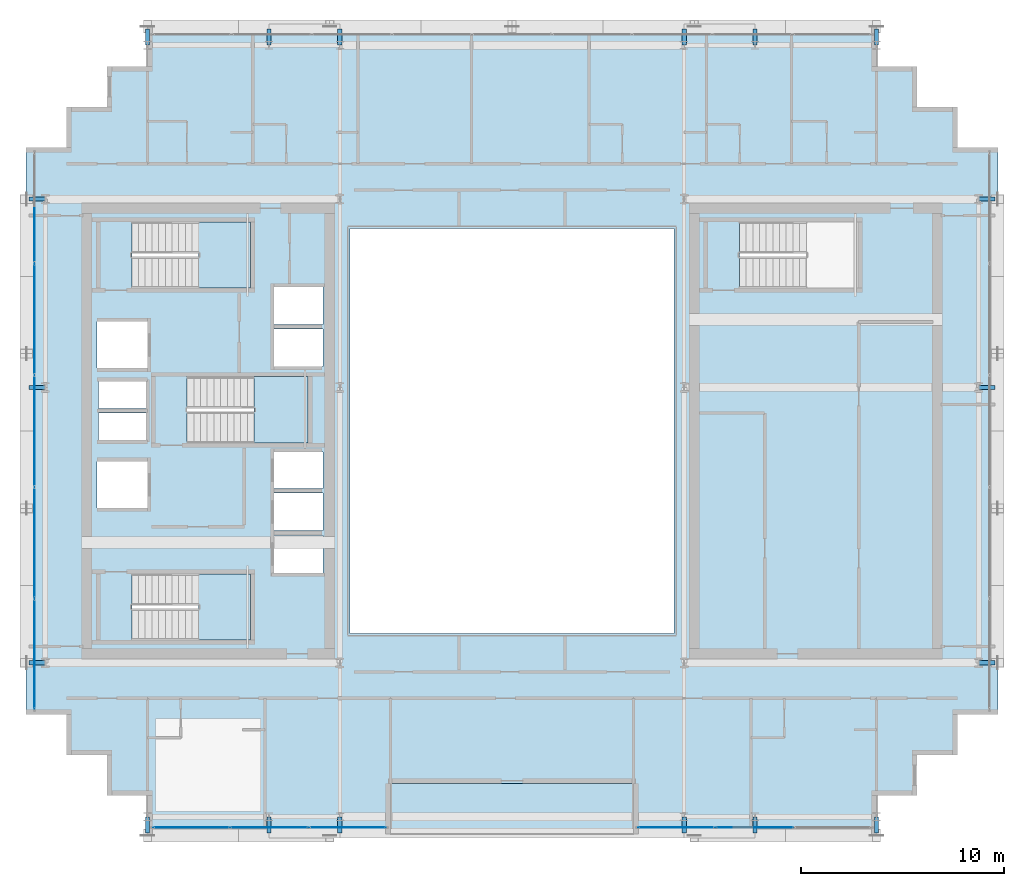
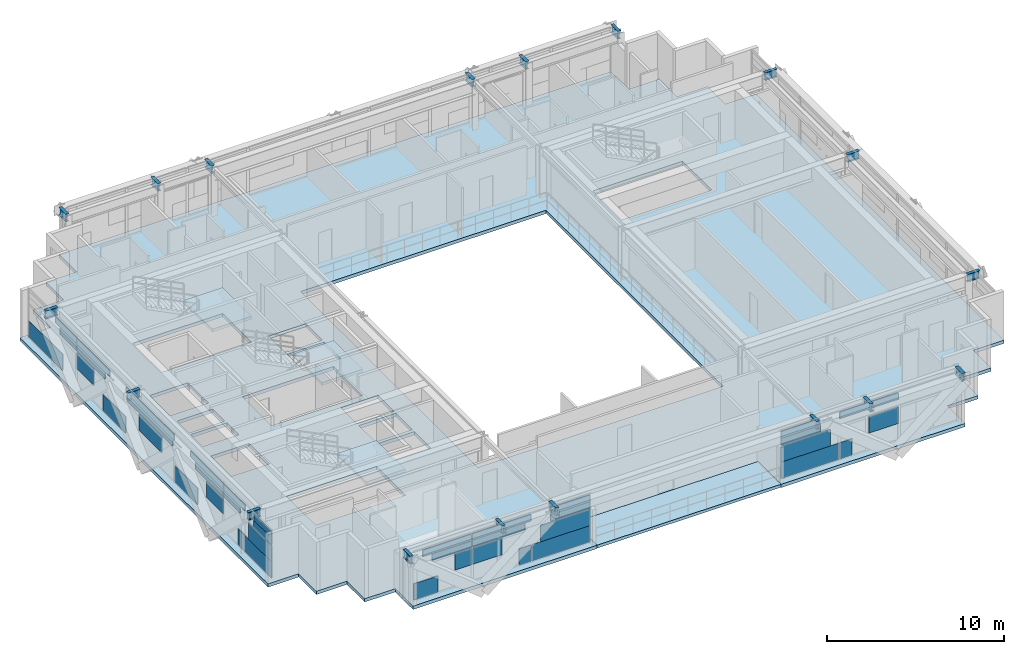
# One storey, part 20 of 32: 39 plates, 18 beams, 5 slabs, 6 elements without a shape of their own.
"""IFC4 building model written with IfcOpenShell, lengths in metres."""

from ifc_helpers import new_model, si_unit, direction, frame, origin, origin_2d, place, context, subcontext, project, spatial, polyline, rectangle, i_section, outline, extrude, source, transform, mapped, material, layer, layer_set, material_profile, profile_set, type_object, element, aggregate, save


model = new_model("IFC4")

# Units and contexts
model_context = context("Model", 3, precision=1e-05, world=origin(), true_north=direction((0.0, 1.0)))
body_context = subcontext(model_context, "Body", "Model", "MODEL_VIEW")
ifc_project = project(units=[si_unit("LENGTHUNIT", "METRE"), si_unit("AREAUNIT", "SQUARE_METRE"), si_unit("VOLUMEUNIT", "CUBIC_METRE"), si_unit("PLANEANGLEUNIT", "RADIAN"), si_unit("MASSUNIT", "GRAM", prefix="KILO")], contexts=[model_context])

# Site, building, storey
site_placement = place(None, origin())
site = spatial("IfcSite", under=ifc_project, at=site_placement, CompositionType="ELEMENT")
building_placement = place(site_placement, origin())
building = spatial("IfcBuilding", under=site, at=building_placement, Name="Ocotamira Hotel", CompositionType="ELEMENT")
storey_placement = place(building_placement, frame((0.0, 0.0, 184.800048828125)))
storey = spatial("IfcBuildingStorey", under=building, at=storey_placement, Name="L46", CompositionType="ELEMENT", Elevation=184.800048828125)

# Beams
ifc_material_1 = material(Name="Steel ASTM A992 Grade 50", Category="steel")
ifc_material_profile = material_profile(ifc_material_1, i_section(OverallWidth=0.2099609375, OverallDepth=0.537109375, WebThickness=0.010986328125, FlangeThickness=0.017333984375, FilletRadius=0.012939453125, at=origin_2d()), Name="W21X68")
ifc_profile_set = profile_set([ifc_material_profile], Name="Steel ASTM A992 Grade 50")
beam_type = type_object("IfcBeamType", Name="BM-SEC-W21X68", PredefinedType="JOIST", material=ifc_profile_set)
shared_shape_1 = source(origin(), body_context, "Body", "SweptSolid", [
    extrude(i_section(OverallWidth=0.2099609375, OverallDepth=0.537109375, WebThickness=0.010986328125, FlangeThickness=0.017333984375, FilletRadius=0.012939453125, at=origin_2d()), origin(), (0.0, 0.0, 1.0), 0.800048828125),
])
for number, where, z_axis, x_axis, name in (
    (1, (14.0, 6.949951171875, 3.1015625), (0.0, -1.0, 0.0), (1.0, 0.0, 0.0), "L46 South Edge Header X14"),
    (2, (14.0, 45.050048828125, 3.1015625), (0.0, 1.0, 0.0), (-1.0, 0.0, 0.0), "L46 North Edge Header X14"),
    (3, (20.0, 6.949951171875, 3.1015625), (0.0, -1.0, 0.0), (1.0, 0.0, 0.0), "L46 South Edge Header X20"),
    (4, (20.0, 45.050048828125, 3.1015625), (0.0, 1.0, 0.0), (-1.0, 0.0, 0.0), "L46 North Edge Header X20"),
    (5, (23.5, 6.949951171875, 3.1015625), (0.0, -1.0, 0.0), (1.0, 0.0, 0.0), "L46 South Edge Header X23.5"),
    (6, (23.5, 45.050048828125, 3.1015625), (0.0, 1.0, 0.0), (-1.0, 0.0, 0.0), "L46 North Edge Header X23.5"),
    (7, (40.5, 6.949951171875, 3.1015625), (0.0, -1.0, 0.0), (1.0, 0.0, 0.0), "L46 South Edge Header X40.5"),
    (8, (40.5, 45.050048828125, 3.1015625), (0.0, 1.0, 0.0), (-1.0, 0.0, 0.0), "L46 North Edge Header X40.5"),
    (9, (44.0, 6.949951171875, 3.1015625), (0.0, -1.0, 0.0), (1.0, 0.0, 0.0), "L46 South Edge Header X44"),
    (10, (44.0, 45.050048828125, 3.1015625), (0.0, 1.0, 0.0), (-1.0, 0.0, 0.0), "L46 North Edge Header X44"),
    (11, (50.0, 6.949951171875, 3.1015625), (0.0, -1.0, 0.0), (1.0, 0.0, 0.0), "L46 South Edge Header X50"),
    (12, (50.0, 45.050048828125, 3.1015625), (0.0, 1.0, 0.0), (-1.0, 0.0, 0.0), "L46 North Edge Header X50"),
    (13, (8.949951171875, 14.550048828125, 3.1015625), (-1.0, 0.0, 0.0), (0.0, -1.0, 0.0), "L46 West Edge Header Y14.55"),
    (14, (55.050048828125, 14.550048828125, 3.1015625), (1.0, 0.0, 0.0), (0.0, 1.0, 0.0), "L46 East Edge Header Y14.55"),
    (15, (8.949951171875, 28.14990234375, 3.1015625), (-1.0, 0.0, 0.0), (0.0, -1.0, 0.0), "L46 West Edge Header Y28.15"),
    (16, (55.050048828125, 28.14990234375, 3.1015625), (1.0, 0.0, 0.0), (0.0, 1.0, 0.0), "L46 East Edge Header Y28.15"),
    (17, (8.949951171875, 37.449951171875, 3.1015625), (-1.0, 0.0, 0.0), (0.0, -1.0, 0.0), "L46 West Edge Header Y37.45"),
    (18, (55.050048828125, 37.449951171875, 3.1015625), (1.0, 0.0, 0.0), (0.0, 1.0, 0.0), "L46 East Edge Header Y37.45"),
):
    element("IfcBeam", number, at=place(storey_placement, frame(where, z_axis=z_axis, x_axis=x_axis)), inside=storey, type_object=beam_type, Name=name, PredefinedType="JOIST", context=body_context, shape_type="MappedRepresentation", body=[
        mapped(shared_shape_1, transform((0.0, 0.0, 0.0), scale=1.0)),
    ])

# Slab
ifc_material_2 = material(Name="Concrete C40/50", Category="concrete")
ifc_layer_1 = layer(ifc_material_2, 0.199951171875)
ifc_layer_set_1 = layer_set([ifc_layer_1], Name="Concrete C40/50")
slab_type_1 = type_object("IfcSlabType", Name="SLB-BAL-200", PredefinedType="FLOOR", material=ifc_layer_set_1)
slab_1_placement = place(storey_placement, frame((0.0, 0.0, -0.199951171875)))
element("IfcSlab", 19, at=slab_1_placement, inside=storey, type_object=slab_type_1, Name="L46 Outdoor Sky Terrace Slab 1", PredefinedType="FLOOR", context=body_context, shape_type="SweptSolid", body=[
    extrude(outline(polyline([(26.0, 6.0), (38.0, 6.0), (38.0, 8.60009765625), (26.0, 8.60009765625), (26.0, 6.0)])), origin(), (0.0, 0.0, 1.0), 0.199951171875),
])

# Stair, slab
stair_type = type_object("IfcStairType", Name="ST-CORE-1560", PredefinedType="HALF_TURN_STAIR", material=ifc_material_2)
stair_1_placement = place(storey_placement, origin())
stair_1 = element("IfcStair", 20, at=stair_1_placement, inside=storey, type_object=stair_type, Name="L46 Exit Stair ST-1", PredefinedType="HALF_TURN_STAIR")
ifc_layer_2 = layer(ifc_material_2, 0.199951171875)
ifc_layer_set_2 = layer_set([ifc_layer_2], Name="Concrete C40/50")
slab_type_2 = type_object("IfcSlabType", Name="SLB-LAND-200", PredefinedType="LANDING", material=ifc_layer_set_2)
slab_2_placement = place(storey_placement, frame((0.0, 0.0, 1.599853515625)))
slab_2 = element("IfcSlab", 21, at=slab_2_placement, type_object=slab_type_2, Name="ST-1 landing 1", PredefinedType="LANDING", context=body_context, shape_type="SweptSolid", body=[
    extrude(outline(polyline([(16.530029296875, 15.669921875), (19.090087890625, 15.669921875), (19.090087890625, 18.949951171875), (16.530029296875, 18.949951171875), (16.530029296875, 15.669921875)])), origin(), (0.0, 0.0, 1.0), 0.2001953125),
])
aggregate(stair_1, [slab_2])

stair_2_placement = place(storey_placement, origin())
stair_2 = element("IfcStair", 22, at=stair_2_placement, inside=storey, type_object=stair_type, Name="L46 Exit Stair ST-2", PredefinedType="HALF_TURN_STAIR")
slab_3_placement = place(storey_placement, frame((0.0, 0.0, 1.599853515625)))
slab_3 = element("IfcSlab", 23, at=slab_3_placement, type_object=slab_type_2, Name="ST-2 landing 1", PredefinedType="LANDING", context=body_context, shape_type="SweptSolid", body=[
    extrude(outline(polyline([(16.530029296875, 33.050048828125), (19.090087890625, 33.050048828125), (19.090087890625, 36.330078125), (16.530029296875, 36.330078125), (16.530029296875, 33.050048828125)])), origin(), (0.0, 0.0, 1.0), 0.2001953125),
])
aggregate(stair_2, [slab_3])

stair_3_placement = place(storey_placement, origin())
stair_3 = element("IfcStair", 24, at=stair_3_placement, inside=storey, type_object=stair_type, Name="L46 Exit Stair ST-3", PredefinedType="HALF_TURN_STAIR")
slab_4_placement = place(storey_placement, frame((0.0, 0.0, 1.599853515625)))
slab_4 = element("IfcSlab", 25, at=slab_4_placement, type_object=slab_type_2, Name="ST-3 landing 1", PredefinedType="LANDING", context=body_context, shape_type="SweptSolid", body=[
    extrude(outline(polyline([(19.260009765625, 25.39990234375), (21.919921875, 25.39990234375), (21.919921875, 28.679931640625), (19.260009765625, 28.679931640625), (19.260009765625, 25.39990234375)])), origin(), (0.0, 0.0, 1.0), 0.2001953125),
])
aggregate(stair_3, [slab_4])

# Slab
ifc_layer_3 = layer(ifc_material_2, 0.22998046875)
ifc_layer_set_3 = layer_set([ifc_layer_3], Name="Concrete C40/50")
slab_type_3 = type_object("IfcSlabType", Name="SLB-Z3-230", PredefinedType="FLOOR", material=ifc_layer_set_3)
slab_5_placement = place(storey_placement, frame((0.0, 0.0, -0.22998046875)))
element("IfcSlab", 26, at=slab_5_placement, inside=storey, type_object=slab_type_3, Name="L46 Structural Floor Slab", PredefinedType="FLOOR", context=body_context, shape_type="SweptSolid", body=[
    extrude(outline(polyline([(14.0, 6.0), (14.0, 8.0), (12.0, 8.0), (12.0, 10.0), (10.0, 10.0), (10.0, 12.0), (8.0, 12.0), (8.0, 40.0), (10.0, 40.0), (10.0, 42.0), (12.0, 42.0), (12.0, 44.0), (14.0, 44.0), (14.0, 46.0), (50.0, 46.0), (50.0, 44.0), (52.0, 44.0), (52.0, 42.0), (54.0, 42.0), (54.0, 40.0), (56.0, 40.0), (56.0, 12.0), (54.0, 12.0), (54.0, 10.0), (52.0, 10.0), (52.0, 8.0), (50.0, 8.0), (50.0, 6.0), (38.0, 6.0), (38.0, 8.60009765625), (26.0, 8.60009765625), (26.0, 6.0), (14.0, 6.0)]), holes=[polyline([(24.0, 16.0), (40.0, 16.0), (40.0, 36.0), (24.0, 36.0), (24.0, 16.0)]), polyline([(13.22998046875, 15.669921875), (19.090087890625, 15.669921875), (19.090087890625, 18.949951171875), (13.22998046875, 18.949951171875), (13.22998046875, 15.669921875)]), polyline([(13.22998046875, 33.050048828125), (19.090087890625, 33.050048828125), (19.090087890625, 36.330078125), (13.22998046875, 36.330078125), (13.22998046875, 33.050048828125)]), polyline([(15.9599609375, 25.39990234375), (21.919921875, 25.39990234375), (21.919921875, 28.679931640625), (15.9599609375, 28.679931640625), (15.9599609375, 25.39990234375)]), polyline([(43.22998046875, 33.050048828125), (49.090087890625, 33.050048828125), (49.090087890625, 36.330078125), (43.22998046875, 36.330078125), (43.22998046875, 33.050048828125)]), polyline([(20.25, 19.0), (22.659912109375, 19.0), (22.659912109375, 20.85009765625), (20.25, 20.85009765625), (20.25, 19.0)]), polyline([(20.25, 21.080078125), (22.659912109375, 21.080078125), (22.659912109375, 22.929931640625), (20.25, 22.929931640625), (20.25, 21.080078125)]), polyline([(20.25, 23.159912109375), (22.659912109375, 23.159912109375), (22.659912109375, 24.9599609375), (20.25, 24.9599609375), (20.25, 23.159912109375)]), polyline([(20.25, 29.179931640625), (22.659912109375, 29.179931640625), (22.659912109375, 31.030029296875), (20.25, 31.030029296875), (20.25, 29.179931640625)]), polyline([(20.25, 31.260009765625), (22.659912109375, 31.260009765625), (22.659912109375, 33.110107421875), (20.25, 33.110107421875), (20.25, 31.260009765625)]), polyline([(11.5, 22.199951171875), (14.0, 22.199951171875), (14.0, 24.5), (11.5, 24.5), (11.5, 22.199951171875)]), polyline([(11.5, 29.10009765625), (14.0, 29.10009765625), (14.0, 31.39990234375), (11.5, 31.39990234375), (11.5, 29.10009765625)]), polyline([(11.580078125, 25.550048828125), (13.919921875, 25.550048828125), (13.919921875, 26.89990234375), (11.580078125, 26.89990234375), (11.580078125, 25.550048828125)]), polyline([(11.580078125, 27.10009765625), (13.919921875, 27.10009765625), (13.919921875, 28.449951171875), (11.580078125, 28.449951171875), (11.580078125, 27.10009765625)])]), origin(), (0.0, 0.0, 1.0), 0.22998046875),
])

# Curtain wall, plate
ifc_material_3 = material(Name="Anodised pale-metal aluminium and solar glass", Category="aluminium")
ifc_layer_4 = layer(ifc_material_3, 0.199951171875)
ifc_layer_set_4 = layer_set([ifc_layer_4], Name="Anodised pale-metal aluminium and solar glass")
curtain_wall_type = type_object("IfcCurtainWallType", Name="CW-SYS4-Z3", PredefinedType="NOTDEFINED", material=ifc_layer_set_4)
curtain_wall_1_placement = place(storey_placement, origin())
curtain_wall_1 = element("IfcCurtainWall", 27, at=curtain_wall_1_placement, inside=storey, type_object=curtain_wall_type, Name="L46 Curtain Wall CW-4 CW-L46-S1", PredefinedType="NOTDEFINED")
ifc_material_4 = material(Name="Double-silver low-E insulated solar glass", Category="glass")
ifc_layer_5 = layer(ifc_material_4, 0.031982421875)
ifc_layer_set_5 = layer_set([ifc_layer_5], Name="Double-silver low-E insulated solar glass")
plate_type = type_object("IfcPlateType", Name="CWP-VISION-32", PredefinedType="CURTAIN_PANEL", material=ifc_layer_set_5)
shared_shape_2 = source(origin(), body_context, "Body", "SweptSolid", [
    extrude(rectangle(XDim=1.5673828125, YDim=0.031982421875, at=origin_2d()), origin(), (0.0, 0.0, 1.0), 1.118896484375),
])
plate_1_placement = place(storey_placement, frame((15.063720703125, 6.419921875, 0.07470703125), z_axis=(0.0, 0.0, 1.0), x_axis=(1.0, 0.0, 0.0)))
plate_1 = element("IfcPlate", 28, at=plate_1_placement, type_object=plate_type, Name="CW-4 panel 1.1.1", PredefinedType="CURTAIN_PANEL", context=body_context, shape_type="MappedRepresentation", body=[
    mapped(shared_shape_2, transform((0.0, 0.0, 0.0), scale=1.0)),
])

# Curtain wall, plates
curtain_wall_2_placement = place(storey_placement, origin())
curtain_wall_2 = element("IfcCurtainWall", 29, at=curtain_wall_2_placement, inside=storey, type_object=curtain_wall_type, Name="L46 Curtain Wall CW-4 CW-L46-W", PredefinedType="NOTDEFINED")
shared_shape_3 = source(origin(), body_context, "Body", "SweptSolid", [
    extrude(rectangle(XDim=3.802001953125, YDim=0.031982421875, at=origin_2d()), origin(), (0.0, 0.0, 1.0), 1.118896484375),
])
plate_2_placement = place(storey_placement, frame((8.419921875, 14.180908203125, 0.07470703125), z_axis=(0.0, 0.0, 1.0), x_axis=(0.0, 1.0, 0.0)))
plate_2 = element("IfcPlate", 30, at=plate_2_placement, type_object=plate_type, Name="CW-4 panel 1.1.1", PredefinedType="CURTAIN_PANEL", context=body_context, shape_type="MappedRepresentation", body=[
    mapped(shared_shape_3, transform((0.0, 0.0, 0.0), scale=1.0)),
])
plate_3_placement = place(storey_placement, frame((8.419921875, 37.819091796875, 0.07470703125), z_axis=(0.0, 0.0, 1.0), x_axis=(0.0, 1.0, 0.0)))
plate_3 = element("IfcPlate", 31, at=plate_3_placement, type_object=plate_type, Name="CW-4 panel 5.1.1", PredefinedType="CURTAIN_PANEL", context=body_context, shape_type="MappedRepresentation", body=[
    mapped(shared_shape_3, transform((0.0, 0.0, 0.0), scale=1.0)),
])
shared_shape_4 = source(origin(), body_context, "Body", "SweptSolid", [
    extrude(rectangle(XDim=2.048095703125, YDim=0.031982421875, at=origin_2d()), origin(), (0.0, 0.0, 1.0), 0.460693359375),
])
plate_4_placement = place(storey_placement, frame((8.419921875, 13.303955078125, 2.3876953125), z_axis=(0.0, 0.0, 1.0), x_axis=(0.0, 1.0, 0.0)))
plate_4 = element("IfcPlate", 32, at=plate_4_placement, type_object=plate_type, Name="CW-4 panel 1.2.1", PredefinedType="CURTAIN_PANEL", context=body_context, shape_type="MappedRepresentation", body=[
    mapped(shared_shape_4, transform((0.0, 0.0, 0.0), scale=1.0)),
])
shared_shape_5 = source(origin(), body_context, "Body", "SweptSolid", [
    extrude(rectangle(XDim=2.01171875, YDim=0.031982421875, at=origin_2d()), origin(), (0.0, 0.0, 1.0), 0.44677734375),
])
plate_5_placement = place(storey_placement, frame((8.419921875, 13.285888671875, 2.84814453125), z_axis=(0.0, 0.0, 1.0), x_axis=(0.0, 1.0, 0.0)))
plate_5 = element("IfcPlate", 33, at=plate_5_placement, type_object=plate_type, Name="CW-4 panel 1.2.2", PredefinedType="CURTAIN_PANEL", context=body_context, shape_type="MappedRepresentation", body=[
    mapped(shared_shape_5, transform((0.0, 0.0, 0.0), scale=1.0)),
])
shared_shape_6 = source(origin(), body_context, "Body", "SweptSolid", [
    extrude(rectangle(XDim=2.3681640625, YDim=0.031982421875, at=origin_2d()), origin(), (0.0, 0.0, 1.0), 0.41259765625),
])
plate_6_placement = place(storey_placement, frame((8.419921875, 16.495849609375, 2.882568359375), z_axis=(0.0, 0.0, 1.0), x_axis=(0.0, 1.0, 0.0)))
plate_6 = element("IfcPlate", 34, at=plate_6_placement, type_object=plate_type, Name="CW-4 panel 1.2.3", PredefinedType="CURTAIN_PANEL", context=body_context, shape_type="MappedRepresentation", body=[
    mapped(shared_shape_6, transform((0.0, 0.0, 0.0), scale=1.0)),
])
plate_7_placement = place(storey_placement, frame((8.419921875, 35.504150390625, 2.882568359375), z_axis=(0.0, 0.0, 1.0), x_axis=(0.0, 1.0, 0.0)))
plate_7 = element("IfcPlate", 35, at=plate_7_placement, type_object=plate_type, Name="CW-4 panel 5.2.2", PredefinedType="CURTAIN_PANEL", context=body_context, shape_type="MappedRepresentation", body=[
    mapped(shared_shape_6, transform((0.0, 0.0, 0.0), scale=1.0)),
])
shared_shape_7 = source(origin(), body_context, "Body", "SweptSolid", [
    extrude(rectangle(XDim=1.84326171875, YDim=0.031982421875, at=origin_2d()), origin(), (0.0, 0.0, 1.0), 0.460693359375),
])
plate_8_placement = place(storey_placement, frame((8.419921875, 16.75830078125, 2.3876953125), z_axis=(0.0, 0.0, 1.0), x_axis=(0.0, 1.0, 0.0)))
plate_8 = element("IfcPlate", 36, at=plate_8_placement, type_object=plate_type, Name="CW-4 panel 1.2.4", PredefinedType="CURTAIN_PANEL", context=body_context, shape_type="MappedRepresentation", body=[
    mapped(shared_shape_7, transform((0.0, 0.0, 0.0), scale=1.0)),
])
plate_9_placement = place(storey_placement, frame((8.419921875, 35.24169921875, 2.3876953125), z_axis=(0.0, 0.0, 1.0), x_axis=(0.0, 1.0, 0.0)))
plate_9 = element("IfcPlate", 37, at=plate_9_placement, type_object=plate_type, Name="CW-4 panel 5.2.1", PredefinedType="CURTAIN_PANEL", context=body_context, shape_type="MappedRepresentation", body=[
    mapped(shared_shape_7, transform((0.0, 0.0, 0.0), scale=1.0)),
])
shared_shape_8 = source(origin(), body_context, "Body", "SweptSolid", [
    extrude(rectangle(XDim=2.548828125, YDim=0.031982421875, at=origin_2d()), origin(), (0.0, 0.0, 1.0), 1.118896484375),
])
plate_10_placement = place(storey_placement, frame((8.419921875, 21.925537109375, 0.07470703125), z_axis=(0.0, 0.0, 1.0), x_axis=(0.0, 1.0, 0.0)))
plate_10 = element("IfcPlate", 38, at=plate_10_placement, type_object=plate_type, Name="CW-4 panel 2.1.2", PredefinedType="CURTAIN_PANEL", context=body_context, shape_type="MappedRepresentation", body=[
    mapped(shared_shape_8, transform((0.0, 0.0, 0.0), scale=1.0)),
])
plate_11_placement = place(storey_placement, frame((8.419921875, 30.074462890625, 0.07470703125), z_axis=(0.0, 0.0, 1.0), x_axis=(0.0, 1.0, 0.0)))
plate_11 = element("IfcPlate", 39, at=plate_11_placement, type_object=plate_type, Name="CW-4 panel 4.1.1", PredefinedType="CURTAIN_PANEL", context=body_context, shape_type="MappedRepresentation", body=[
    mapped(shared_shape_8, transform((0.0, 0.0, 0.0), scale=1.0)),
])
shared_shape_9 = source(origin(), body_context, "Body", "SweptSolid", [
    extrude(rectangle(XDim=3.13671875, YDim=0.031982421875, at=origin_2d()), origin(), (0.0, 0.0, 1.0), 0.460693359375),
])
plate_12_placement = place(storey_placement, frame((8.419921875, 19.328369140625, 2.3876953125), z_axis=(0.0, 0.0, 1.0), x_axis=(0.0, 1.0, 0.0)))
plate_12 = element("IfcPlate", 40, at=plate_12_placement, type_object=plate_type, Name="CW-4 panel 2.2.1", PredefinedType="CURTAIN_PANEL", context=body_context, shape_type="MappedRepresentation", body=[
    mapped(shared_shape_9, transform((0.0, 0.0, 0.0), scale=1.0)),
])
plate_13_placement = place(storey_placement, frame((8.419921875, 32.671630859375, 2.3876953125), z_axis=(0.0, 0.0, 1.0), x_axis=(0.0, 1.0, 0.0)))
plate_13 = element("IfcPlate", 41, at=plate_13_placement, type_object=plate_type, Name="CW-4 panel 4.2.2", PredefinedType="CURTAIN_PANEL", context=body_context, shape_type="MappedRepresentation", body=[
    mapped(shared_shape_9, transform((0.0, 0.0, 0.0), scale=1.0)),
])
shared_shape_10 = source(origin(), body_context, "Body", "SweptSolid", [
    extrude(rectangle(XDim=3.66162109375, YDim=0.031982421875, at=origin_2d()), origin(), (0.0, 0.0, 1.0), 0.41259765625),
])
plate_14_placement = place(storey_placement, frame((8.419921875, 19.5908203125, 2.882568359375), z_axis=(0.0, 0.0, 1.0), x_axis=(0.0, 1.0, 0.0)))
plate_14 = element("IfcPlate", 42, at=plate_14_placement, type_object=plate_type, Name="CW-4 panel 2.2.2", PredefinedType="CURTAIN_PANEL", context=body_context, shape_type="MappedRepresentation", body=[
    mapped(shared_shape_10, transform((0.0, 0.0, 0.0), scale=1.0)),
])
plate_15_placement = place(storey_placement, frame((8.419921875, 32.4091796875, 2.882568359375), z_axis=(0.0, 0.0, 1.0), x_axis=(0.0, 1.0, 0.0)))
plate_15 = element("IfcPlate", 43, at=plate_15_placement, type_object=plate_type, Name="CW-4 panel 4.2.1", PredefinedType="CURTAIN_PANEL", context=body_context, shape_type="MappedRepresentation", body=[
    mapped(shared_shape_10, transform((0.0, 0.0, 0.0), scale=1.0)),
])
shared_shape_11 = source(origin(), body_context, "Body", "SweptSolid", [
    extrude(rectangle(XDim=5.43994140625, YDim=0.031982421875, at=origin_2d()), origin(), (0.0, 0.0, 1.0), 0.41259765625),
])
plate_16_placement = place(storey_placement, frame((8.419921875, 26.0, 2.882568359375), z_axis=(0.0, 0.0, 1.0), x_axis=(0.0, 1.0, 0.0)))
plate_16 = element("IfcPlate", 44, at=plate_16_placement, type_object=plate_type, Name="CW-4 panel 3.2.1", PredefinedType="CURTAIN_PANEL", context=body_context, shape_type="MappedRepresentation", body=[
    mapped(shared_shape_11, transform((0.0, 0.0, 0.0), scale=1.0)),
])
shared_shape_12 = source(origin(), body_context, "Body", "SweptSolid", [
    extrude(rectangle(XDim=5.06005859375, YDim=0.031982421875, at=origin_2d()), origin(), (0.0, 0.0, 1.0), 0.4951171875),
])
plate_17_placement = place(storey_placement, frame((8.419921875, 26.0, 2.387451171875), z_axis=(0.0, 0.0, 1.0), x_axis=(0.0, 1.0, 0.0)))
plate_17 = element("IfcPlate", 45, at=plate_17_placement, type_object=plate_type, Name="CW-4 panel 3.2.2", PredefinedType="CURTAIN_PANEL", context=body_context, shape_type="MappedRepresentation", body=[
    mapped(shared_shape_12, transform((0.0, 0.0, 0.0), scale=1.0)),
])

# Plate
shared_shape_13 = source(origin(), body_context, "Body", "SweptSolid", [
    extrude(rectangle(XDim=3.76318359375, YDim=0.031982421875, at=origin_2d()), origin(), (0.0, 0.0, 1.0), 1.118896484375),
])
plate_18_placement = place(storey_placement, frame((23.88818359375, 6.419921875, 0.07470703125), z_axis=(0.0, 0.0, 1.0), x_axis=(1.0, 0.0, 0.0)))
plate_18 = element("IfcPlate", 46, at=plate_18_placement, type_object=plate_type, Name="CW-4 panel 3.1.1", PredefinedType="CURTAIN_PANEL", context=body_context, shape_type="MappedRepresentation", body=[
    mapped(shared_shape_13, transform((0.0, 0.0, 0.0), scale=1.0)),
])

# Curtain wall, plate
curtain_wall_3_placement = place(storey_placement, origin())
curtain_wall_3 = element("IfcCurtainWall", 47, at=curtain_wall_3_placement, inside=storey, type_object=curtain_wall_type, Name="L46 Curtain Wall CW-4 CW-L46-S2", PredefinedType="NOTDEFINED")
plate_19_placement = place(storey_placement, frame((40.11181640625, 6.419921875, 0.07470703125), z_axis=(0.0, 0.0, 1.0), x_axis=(1.0, 0.0, 0.0)))
plate_19 = element("IfcPlate", 48, at=plate_19_placement, type_object=plate_type, Name="CW-4 panel 1.1.1", PredefinedType="CURTAIN_PANEL", context=body_context, shape_type="MappedRepresentation", body=[
    mapped(shared_shape_13, transform((0.0, 0.0, 0.0), scale=1.0)),
])

# Plate
shared_shape_14 = source(origin(), body_context, "Body", "SweptSolid", [
    extrude(rectangle(XDim=1.0751953125, YDim=0.031982421875, at=origin_2d()), origin(), (0.0, 0.0, 1.0), 1.118896484375),
])
plate_20_placement = place(storey_placement, frame((17.505615234375, 6.419921875, 1.193359375), z_axis=(0.0, 0.0, 1.0), x_axis=(1.0, 0.0, 0.0)))
plate_20 = element("IfcPlate", 49, at=plate_20_placement, type_object=plate_type, Name="CW-4 panel 1.1.2", PredefinedType="CURTAIN_PANEL", context=body_context, shape_type="MappedRepresentation", body=[
    mapped(shared_shape_14, transform((0.0, 0.0, 0.0), scale=1.0)),
])

shared_shape_15 = source(origin(), body_context, "Body", "SweptSolid", [
    extrude(rectangle(XDim=3.160888671875, YDim=0.031982421875, at=origin_2d()), origin(), (0.0, 0.0, 1.0), 0.4326171875),
])
plate_21_placement = place(storey_placement, frame((16.462890625, 6.419921875, 2.8623046875), z_axis=(0.0, 0.0, 1.0), x_axis=(1.0, 0.0, 0.0)))
plate_21 = element("IfcPlate", 50, at=plate_21_placement, type_object=plate_type, Name="CW-4 panel 1.2.1", PredefinedType="CURTAIN_PANEL", context=body_context, shape_type="MappedRepresentation", body=[
    mapped(shared_shape_15, transform((0.0, 0.0, 0.0), scale=1.0)),
])

shared_shape_16 = source(origin(), body_context, "Body", "SweptSolid", [
    extrude(rectangle(XDim=2.5673828125, YDim=0.031982421875, at=origin_2d()), origin(), (0.0, 0.0, 1.0), 0.443603515625),
])
plate_22_placement = place(storey_placement, frame((16.759521484375, 6.419921875, 2.38720703125), z_axis=(0.0, 0.0, 1.0), x_axis=(1.0, 0.0, 0.0)))
plate_22 = element("IfcPlate", 51, at=plate_22_placement, type_object=plate_type, Name="CW-4 panel 1.2.2", PredefinedType="CURTAIN_PANEL", context=body_context, shape_type="MappedRepresentation", body=[
    mapped(shared_shape_16, transform((0.0, 0.0, 0.0), scale=1.0)),
])

shared_shape_17 = source(origin(), body_context, "Body", "SweptSolid", [
    extrude(rectangle(XDim=1.90869140625, YDim=0.031982421875, at=origin_2d()), origin(), (0.0, 0.0, 1.0), 1.118896484375),
])
plate_23_placement = place(storey_placement, frame((19.07763671875, 6.419921875, 1.193359375), z_axis=(0.0, 0.0, 1.0), x_axis=(1.0, 0.0, 0.0)))
plate_23 = element("IfcPlate", 52, at=plate_23_placement, type_object=plate_type, Name="CW-4 panel 2.1.1", PredefinedType="CURTAIN_PANEL", context=body_context, shape_type="MappedRepresentation", body=[
    mapped(shared_shape_17, transform((0.0, 0.0, 0.0), scale=1.0)),
])

plate_24_placement = place(storey_placement, frame((44.92236328125, 6.419921875, 1.193359375), z_axis=(0.0, 0.0, 1.0), x_axis=(1.0, 0.0, 0.0)))
plate_24 = element("IfcPlate", 53, at=plate_24_placement, type_object=plate_type, Name="CW-4 panel 2.1.2", PredefinedType="CURTAIN_PANEL", context=body_context, shape_type="MappedRepresentation", body=[
    mapped(shared_shape_17, transform((0.0, 0.0, 0.0), scale=1.0)),
])

shared_shape_18 = source(origin(), body_context, "Body", "SweptSolid", [
    extrude(rectangle(XDim=0.774169921875, YDim=0.031982421875, at=origin_2d()), origin(), (0.0, 0.0, 1.0), 1.118896484375),
])
plate_25_placement = place(storey_placement, frame((21.53955078125, 6.419921875, 0.07470703125), z_axis=(0.0, 0.0, 1.0), x_axis=(1.0, 0.0, 0.0)))
plate_25 = element("IfcPlate", 54, at=plate_25_placement, type_object=plate_type, Name="CW-4 panel 2.1.2", PredefinedType="CURTAIN_PANEL", context=body_context, shape_type="MappedRepresentation", body=[
    mapped(shared_shape_18, transform((0.0, 0.0, 0.0), scale=1.0)),
])

plate_26_placement = place(storey_placement, frame((42.46044921875, 6.419921875, 0.07470703125), z_axis=(0.0, 0.0, 1.0), x_axis=(1.0, 0.0, 0.0)))
plate_26 = element("IfcPlate", 55, at=plate_26_placement, type_object=plate_type, Name="CW-4 panel 2.1.1", PredefinedType="CURTAIN_PANEL", context=body_context, shape_type="MappedRepresentation", body=[
    mapped(shared_shape_18, transform((0.0, 0.0, 0.0), scale=1.0)),
])

shared_shape_19 = source(origin(), body_context, "Body", "SweptSolid", [
    extrude(rectangle(XDim=3.40087890625, YDim=0.031982421875, at=origin_2d()), origin(), (0.0, 0.0, 1.0), 0.474853515625),
])
plate_27_placement = place(storey_placement, frame((19.82373046875, 6.419921875, 2.38720703125), z_axis=(0.0, 0.0, 1.0), x_axis=(1.0, 0.0, 0.0)))
plate_27 = element("IfcPlate", 56, at=plate_27_placement, type_object=plate_type, Name="CW-4 panel 2.2.1", PredefinedType="CURTAIN_PANEL", context=body_context, shape_type="MappedRepresentation", body=[
    mapped(shared_shape_19, transform((0.0, 0.0, 0.0), scale=1.0)),
])

shared_shape_20 = source(origin(), body_context, "Body", "SweptSolid", [
    extrude(rectangle(XDim=3.80322265625, YDim=0.031982421875, at=origin_2d()), origin(), (0.0, 0.0, 1.0), 0.4326171875),
])
plate_28_placement = place(storey_placement, frame((20.02490234375, 6.419921875, 2.8623046875), z_axis=(0.0, 0.0, 1.0), x_axis=(1.0, 0.0, 0.0)))
plate_28 = element("IfcPlate", 57, at=plate_28_placement, type_object=plate_type, Name="CW-4 panel 2.2.2", PredefinedType="CURTAIN_PANEL", context=body_context, shape_type="MappedRepresentation", body=[
    mapped(shared_shape_20, transform((0.0, 0.0, 0.0), scale=1.0)),
])

plate_29_placement = place(storey_placement, frame((43.97509765625, 6.419921875, 2.8623046875), z_axis=(0.0, 0.0, 1.0), x_axis=(1.0, 0.0, 0.0)))
plate_29 = element("IfcPlate", 58, at=plate_29_placement, type_object=plate_type, Name="CW-4 panel 2.2.1", PredefinedType="CURTAIN_PANEL", context=body_context, shape_type="MappedRepresentation", body=[
    mapped(shared_shape_20, transform((0.0, 0.0, 0.0), scale=1.0)),
])

shared_shape_21 = source(origin(), body_context, "Body", "SweptSolid", [
    extrude(rectangle(XDim=3.218994140625, YDim=0.031982421875, at=origin_2d()), origin(), (0.0, 0.0, 1.0), 1.118896484375),
])
plate_30_placement = place(storey_placement, frame((24.160400390625, 6.419921875, 1.193359375), z_axis=(0.0, 0.0, 1.0), x_axis=(1.0, 0.0, 0.0)))
plate_30 = element("IfcPlate", 59, at=plate_30_placement, type_object=plate_type, Name="CW-4 panel 3.1.2", PredefinedType="CURTAIN_PANEL", context=body_context, shape_type="MappedRepresentation", body=[
    mapped(shared_shape_21, transform((0.0, 0.0, 0.0), scale=1.0)),
])

plate_31_placement = place(storey_placement, frame((39.839599609375, 6.419921875, 1.193359375), z_axis=(0.0, 0.0, 1.0), x_axis=(1.0, 0.0, 0.0)))
plate_31 = element("IfcPlate", 60, at=plate_31_placement, type_object=plate_type, Name="CW-4 panel 1.1.2", PredefinedType="CURTAIN_PANEL", context=body_context, shape_type="MappedRepresentation", body=[
    mapped(shared_shape_21, transform((0.0, 0.0, 0.0), scale=1.0)),
])

shared_shape_22 = source(origin(), body_context, "Body", "SweptSolid", [
    extrude(rectangle(XDim=2.57080078125, YDim=0.031982421875, at=origin_2d()), origin(), (0.0, 0.0, 1.0), 0.443603515625),
])
plate_32_placement = place(storey_placement, frame((24.484619140625, 6.419921875, 2.38720703125), z_axis=(0.0, 0.0, 1.0), x_axis=(1.0, 0.0, 0.0)))
plate_32 = element("IfcPlate", 61, at=plate_32_placement, type_object=plate_type, Name="CW-4 panel 3.2.1", PredefinedType="CURTAIN_PANEL", context=body_context, shape_type="MappedRepresentation", body=[
    mapped(shared_shape_22, transform((0.0, 0.0, 0.0), scale=1.0)),
])

plate_33_placement = place(storey_placement, frame((39.515380859375, 6.419921875, 2.38720703125), z_axis=(0.0, 0.0, 1.0), x_axis=(1.0, 0.0, 0.0)))
plate_33 = element("IfcPlate", 62, at=plate_33_placement, type_object=plate_type, Name="CW-4 panel 1.2.1", PredefinedType="CURTAIN_PANEL", context=body_context, shape_type="MappedRepresentation", body=[
    mapped(shared_shape_22, transform((0.0, 0.0, 0.0), scale=1.0)),
])

shared_shape_23 = source(origin(), body_context, "Body", "SweptSolid", [
    extrude(rectangle(XDim=2.53173828125, YDim=0.031982421875, at=origin_2d()), origin(), (0.0, 0.0, 1.0), 0.4638671875),
])
plate_34_placement = place(storey_placement, frame((24.504150390625, 6.419921875, 2.8310546875), z_axis=(0.0, 0.0, 1.0), x_axis=(1.0, 0.0, 0.0)))
plate_34 = element("IfcPlate", 63, at=plate_34_placement, type_object=plate_type, Name="CW-4 panel 3.2.2", PredefinedType="CURTAIN_PANEL", context=body_context, shape_type="MappedRepresentation", body=[
    mapped(shared_shape_23, transform((0.0, 0.0, 0.0), scale=1.0)),
])

aggregate(curtain_wall_1, [plate_1, plate_20, plate_21, plate_22, plate_23, plate_25, plate_27, plate_28, plate_18, plate_30, plate_32, plate_34])

plate_35_placement = place(storey_placement, frame((39.495849609375, 6.419921875, 2.8310546875), z_axis=(0.0, 0.0, 1.0), x_axis=(1.0, 0.0, 0.0)))
plate_35 = element("IfcPlate", 64, at=plate_35_placement, type_object=plate_type, Name="CW-4 panel 1.2.2", PredefinedType="CURTAIN_PANEL", context=body_context, shape_type="MappedRepresentation", body=[
    mapped(shared_shape_23, transform((0.0, 0.0, 0.0), scale=1.0)),
])

aggregate(curtain_wall_3, [plate_19, plate_31, plate_33, plate_35, plate_26, plate_24, plate_29])

shared_shape_24 = source(origin(), body_context, "Body", "SweptSolid", [
    extrude(rectangle(XDim=2.615966796875, YDim=0.031982421875, at=origin_2d()), origin(), (0.0, 0.0, 1.0), 1.118896484375),
])
plate_36_placement = place(storey_placement, frame((8.419921875, 13.587890625, 1.193359375), z_axis=(0.0, 0.0, 1.0), x_axis=(0.0, 1.0, 0.0)))
plate_36 = element("IfcPlate", 65, at=plate_36_placement, type_object=plate_type, Name="CW-4 panel 1.1.2", PredefinedType="CURTAIN_PANEL", context=body_context, shape_type="MappedRepresentation", body=[
    mapped(shared_shape_24, transform((0.0, 0.0, 0.0), scale=1.0)),
])

shared_shape_25 = source(origin(), body_context, "Body", "SweptSolid", [
    extrude(rectangle(XDim=1.87109375, YDim=0.031982421875, at=origin_2d()), origin(), (0.0, 0.0, 1.0), 1.118896484375),
])
plate_37_placement = place(storey_placement, frame((8.419921875, 18.695556640625, 1.193359375), z_axis=(0.0, 0.0, 1.0), x_axis=(0.0, 1.0, 0.0)))
plate_37 = element("IfcPlate", 66, at=plate_37_placement, type_object=plate_type, Name="CW-4 panel 2.1.1", PredefinedType="CURTAIN_PANEL", context=body_context, shape_type="MappedRepresentation", body=[
    mapped(shared_shape_25, transform((0.0, 0.0, 0.0), scale=1.0)),
])

plate_38_placement = place(storey_placement, frame((8.419921875, 33.304443359375, 1.193359375), z_axis=(0.0, 0.0, 1.0), x_axis=(0.0, 1.0, 0.0)))
plate_38 = element("IfcPlate", 67, at=plate_38_placement, type_object=plate_type, Name="CW-4 panel 4.1.2", PredefinedType="CURTAIN_PANEL", context=body_context, shape_type="MappedRepresentation", body=[
    mapped(shared_shape_25, transform((0.0, 0.0, 0.0), scale=1.0)),
])

shared_shape_26 = source(origin(), body_context, "Body", "SweptSolid", [
    extrude(rectangle(XDim=2.52880859375, YDim=0.031982421875, at=origin_2d()), origin(), (0.0, 0.0, 1.0), 1.118896484375),
])
plate_39_placement = place(storey_placement, frame((8.419921875, 26.0, 1.193359375), z_axis=(0.0, 0.0, 1.0), x_axis=(0.0, 1.0, 0.0)))
plate_39 = element("IfcPlate", 68, at=plate_39_placement, type_object=plate_type, Name="CW-4 panel 3.1.1", PredefinedType="CURTAIN_PANEL", context=body_context, shape_type="MappedRepresentation", body=[
    mapped(shared_shape_26, transform((0.0, 0.0, 0.0), scale=1.0)),
])

aggregate(curtain_wall_2, [plate_2, plate_36, plate_4, plate_5, plate_6, plate_8, plate_37, plate_10, plate_12, plate_14, plate_39, plate_16, plate_17, plate_11, plate_38, plate_15, plate_13, plate_3, plate_9, plate_7])

save(model, "model.ifc")
